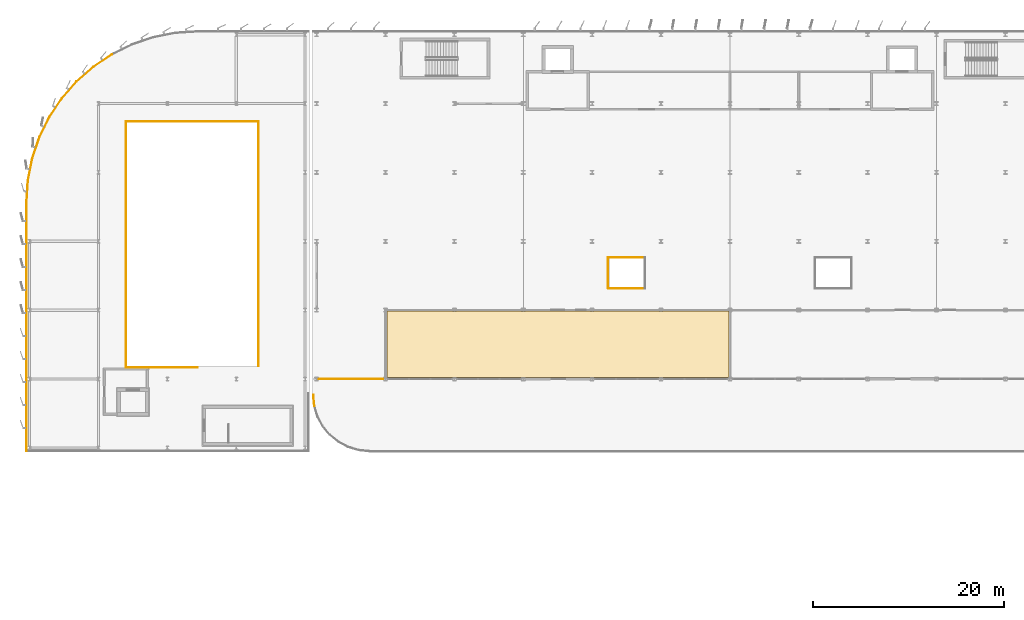
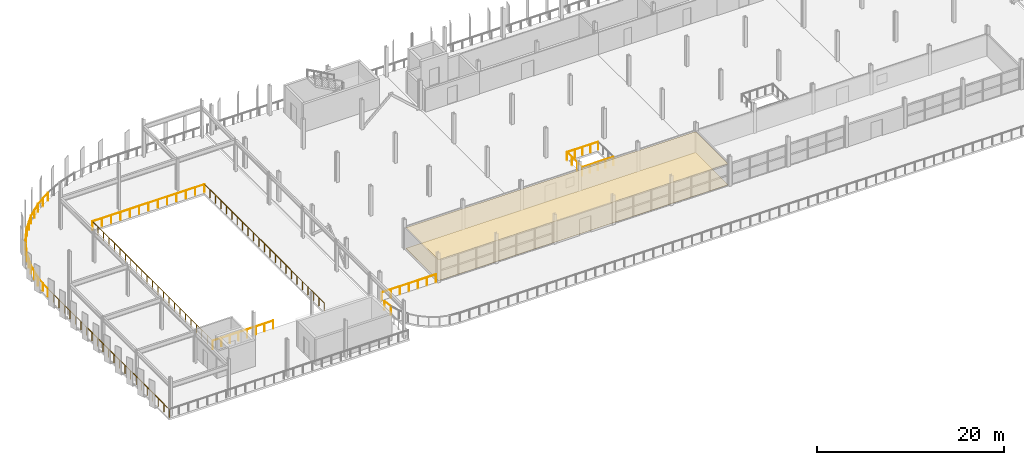
# One storey, part 36 of 40: 18 railings, 2 coverings.
"""IFC4 building model written with IfcOpenShell, lengths in metres."""

import ifcopenshell
import ifcopenshell.guid

model = None  # the IFC model being written
_history = None  # IfcOwnerHistory: only IFC2X3 demands one
_inside = {}  # id of a spatial element -> (the spatial element, [elements in it])
_under = {}  # id of a project, library or spatial element -> (it, [spatial elements below it])
_declared = {}  # id of a project -> (the project, [libraries it declares])
_typed = {}  # id of a type object -> (the type object, [elements of that type])
_made_of = {}  # id of a material, layer set ... -> (it, [elements and type objects made of it])


def new_model(schema):
    """Start an empty IFC model of exactly this schema.

    Asked for "IFC4X3", IfcOpenShell would pick the latest addendum, in which some entities
    have other attributes; the version numbers below select the first issue.
    IFC2X3 requires an IfcOwnerHistory on every rooted entity: one is made here for all.
    """
    global model, _history
    if schema == "IFC4X3":
        model = ifcopenshell.file(schema_version=(4, 3, 0, 0))
    else:
        model = ifcopenshell.file(schema=schema)
    _inside.clear()
    _under.clear()
    _declared.clear()
    _typed.clear()
    _made_of.clear()
    _history = None
    if model.schema == "IFC2X3":
        org = make("IfcOrganization", Name="unknown")
        user = make(
            "IfcPersonAndOrganization",
            ThePerson=make("IfcPerson", FamilyName="unknown"),
            TheOrganization=org,
        )
        app = make(
            "IfcApplication",
            ApplicationDeveloper=org,
            Version="unknown",
            ApplicationFullName="unknown",
            ApplicationIdentifier="unknown",
        )
        _history = make(
            "IfcOwnerHistory",
            OwningUser=user,
            OwningApplication=app,
            ChangeAction="ADDED",
            CreationDate=0,
        )
    return model


def make(cls, **values):
    """One entity of the class cls with the attributes given. An attribute that is None is left unset."""
    return model.create_entity(
        cls, **{name: value for name, value in values.items() if value is not None}
    )


def rooted(cls, **values):
    """An entity with a GlobalId (a new one), such as an element, a storey or a relation."""
    return make(cls, GlobalId=ifcopenshell.guid.new(), OwnerHistory=_history, **values)


def si_unit(unit_type, name, prefix=None):
    """IfcSIUnit, for example si_unit("LENGTHUNIT", "METRE", prefix="MILLI")."""
    return make("IfcSIUnit", UnitType=unit_type, Prefix=prefix, Name=name)


def assignment(units):
    """IfcUnitAssignment: the units of a project."""
    return None if units is None else make("IfcUnitAssignment", Units=units)


def point(xyz):
    """IfcCartesianPoint."""
    return None if xyz is None else make("IfcCartesianPoint", Coordinates=xyz)


def direction(xyz):
    """IfcDirection."""
    return None if xyz is None else make("IfcDirection", DirectionRatios=xyz)


def frame(location, z_axis=None, x_axis=None):
    """IfcAxis2Placement3D, a coordinate frame: its origin and axes. An axis left out is left unset."""
    return make(
        "IfcAxis2Placement3D",
        Location=point(location),
        Axis=direction(z_axis),
        RefDirection=direction(x_axis),
    )


def frame_2d(location, x_axis=None):
    """IfcAxis2Placement2D, a coordinate frame in the plane: its origin and x axis."""
    return make(
        "IfcAxis2Placement2D", Location=point(location), RefDirection=direction(x_axis)
    )


def origin():
    """The frame at (0, 0, 0) with its axes left unset."""
    return frame((0.0, 0.0, 0.0))


def origin_2d():
    """The frame at (0, 0) in the plane with its x axis left unset."""
    return frame_2d((0.0, 0.0))


def place(relative_to, where):
    """IfcLocalPlacement: puts the frame where relative to a parent placement (None: the world)."""
    return make(
        "IfcLocalPlacement", PlacementRelTo=relative_to, RelativePlacement=where
    )


def context(
    kind, dimensions, precision=None, world=None, true_north=None, identifier=None
):
    """IfcGeometricRepresentationContext, for example the 3D "Model" context."""
    return make(
        "IfcGeometricRepresentationContext",
        ContextIdentifier=identifier,
        ContextType=kind,
        CoordinateSpaceDimension=dimensions,
        Precision=precision,
        WorldCoordinateSystem=world,
        TrueNorth=true_north,
    )


def subcontext(parent, identifier, kind, view, scale=None):
    """IfcGeometricRepresentationSubContext, for example "Body" below "Model"."""
    return make(
        "IfcGeometricRepresentationSubContext",
        ContextIdentifier=identifier,
        ContextType=kind,
        ParentContext=parent,
        TargetScale=scale,
        TargetView=view,
    )


def project(units=None, contexts=None):
    """IfcProject with its units and contexts."""
    return rooted(
        "IfcProject",
        Name="project",
        RepresentationContexts=contexts,
        UnitsInContext=assignment(units),
    )


def spatial(cls, under=None, at=None, **own):
    """A site, building, storey or space (cls), placed at a placement, below another one or the project."""
    s = rooted(cls, ObjectPlacement=at, **own)
    if under is not None:
        _under.setdefault(under.id(), (under, []))[1].append(s)
    return s


def polyline(points):
    """IfcPolyline through the points."""
    return make("IfcPolyline", Points=[point(p) for p in points])


def profile(cls, at=None, kind="AREA", **sizes):
    """A parametric profile (cls). Its sizes go by their IFC names, for example OverallWidth=200.0."""
    return make(cls, ProfileType=kind, Position=at, **sizes)


def circle(**sizes):
    """IfcCircleProfileDef."""
    return profile("IfcCircleProfileDef", **sizes)


def outline(outer, holes=None, kind="AREA"):
    """IfcArbitraryClosedProfileDef: a profile drawn as a closed curve; with holes, ...WithVoids."""
    if holes is None:
        return make("IfcArbitraryClosedProfileDef", ProfileType=kind, OuterCurve=outer)
    return make(
        "IfcArbitraryProfileDefWithVoids",
        ProfileType=kind,
        OuterCurve=outer,
        InnerCurves=holes,
    )


def extrude(swept, where, along, depth):
    """IfcExtrudedAreaSolid: the profile swept, set in the frame where, extruded along a direction by depth."""
    return make(
        "IfcExtrudedAreaSolid",
        SweptArea=swept,
        Position=where,
        ExtrudedDirection=direction(along),
        Depth=depth,
    )


def shape(context_of_items, identifier, shape_type, items):
    """IfcShapeRepresentation: the items that make up one representation, for example the "Body"."""
    return make(
        "IfcShapeRepresentation",
        ContextOfItems=context_of_items,
        RepresentationIdentifier=identifier,
        RepresentationType=shape_type,
        Items=items,
    )


def material(Name=None, Category=None):
    """IfcMaterial."""
    return make("IfcMaterial", Name=Name, Category=Category)


def layer(
    of_material, thickness, ventilated=None, Name=None, Category=None, Priority=None
):
    """IfcMaterialLayer: one layer of a wall or slab, of a material (None: an air gap)."""
    return make(
        "IfcMaterialLayer",
        Material=of_material,
        LayerThickness=thickness,
        IsVentilated=ventilated,
        Name=Name,
        Category=Category,
        Priority=Priority,
    )


def layer_set(layers, Name=None):
    """IfcMaterialLayerSet."""
    return make("IfcMaterialLayerSet", MaterialLayers=layers, LayerSetName=Name)


def made_of(thing, what):
    """Note that an element or type object is made of a material, layer set ...; save() writes the relation."""
    if what is not None:
        _made_of.setdefault(what.id(), (what, []))[1].append(thing)
    return thing


def type_object(cls, material=None, **own):
    """A type object (cls), such as IfcWallType, which elements share."""
    return made_of(rooted(cls, **own), material)


def element(
    cls,
    number,
    at=None,
    inside=None,
    cuts=None,
    type_object=None,
    material=None,
    context=None,
    identifier="Body",
    shape_type=None,
    held_by="IfcProductDefinitionShape",
    body=None,
    shapes=None,
    **own,
):
    """One element of the class cls, such as IfcWall. Its Tag is "e" and its number.

    at: its placement. inside: the storey or other place that contains it. cuts: it is an
    opening in that element (IfcRelVoidsElement). A single representation is given by context,
    identifier, shape_type and body (its items); several are given by shapes. held_by: the class
    of the entity that holds the representations. save() writes the other relations.
    """
    e = rooted(cls, Tag="e%d" % number, ObjectPlacement=at, **own)
    if body is not None:
        shapes = [shape(context, identifier, shape_type, body)]
    if shapes is not None:
        e.Representation = make(held_by, Representations=shapes)
    if inside is not None:
        _inside.setdefault(inside.id(), (inside, []))[1].append(e)
    if cuts is not None:
        rooted(
            "IfcRelVoidsElement", RelatingBuildingElement=cuts, RelatedOpeningElement=e
        )
    if type_object is not None:
        _typed.setdefault(type_object.id(), (type_object, []))[1].append(e)
    return made_of(e, material)


def aggregate(whole, parts):
    """IfcRelAggregates: a whole, such as a stair, and the parts it consists of."""
    return rooted("IfcRelAggregates", RelatingObject=whole, RelatedObjects=parts)


def save(model, path):
    """Write the relations noted so far, then the file.

    IfcRelAggregates (storeys below a building ...), IfcRelContainedInSpatialStructure (elements
    in a storey), IfcRelDefinesByType, IfcRelAssociatesMaterial and IfcRelDeclares: one each for
    every whole, place, type object, material and project.
    """
    for whole, parts in _under.values():
        aggregate(whole, parts)
    for where, things in _inside.values():
        rooted(
            "IfcRelContainedInSpatialStructure",
            RelatedElements=things,
            RelatingStructure=where,
        )
    for kind, things in _typed.values():
        rooted("IfcRelDefinesByType", RelatedObjects=things, RelatingType=kind)
    for what, things in _made_of.values():
        rooted("IfcRelAssociatesMaterial", RelatedObjects=things, RelatingMaterial=what)
    for by, libraries in _declared.values():
        rooted("IfcRelDeclares", RelatingContext=by, RelatedDefinitions=libraries)
    model.write(path)


model = new_model("IFC4")

# Units and contexts
model_context = context("Model", 3, precision=1e-05, world=origin(), true_north=direction((0.0, 1.0)))
body_context = subcontext(model_context, "Body", "Model", "MODEL_VIEW")
ifc_project = project(units=[si_unit("LENGTHUNIT", "METRE"), si_unit("AREAUNIT", "SQUARE_METRE"), si_unit("VOLUMEUNIT", "CUBIC_METRE"), si_unit("PLANEANGLEUNIT", "RADIAN"), si_unit("MASSUNIT", "GRAM", prefix="KILO")], contexts=[model_context])

# Site, building, storey
site_placement = place(None, origin())
site = spatial("IfcSite", under=ifc_project, at=site_placement, CompositionType="ELEMENT")
building_placement = place(site_placement, origin())
building = spatial("IfcBuilding", under=site, at=building_placement, Name="Vaelcorin Mobility Hub", CompositionType="ELEMENT")
storey_placement = place(building_placement, frame((0.0, 0.0, 17.10009765625)))
storey = spatial("IfcBuildingStorey", under=building, at=storey_placement, Name="L04", CompositionType="ELEMENT", Elevation=17.10009765625)

# Coverings
ifc_material_1 = material(Name="Perforated acoustic mineral-fibre ceiling tile")
ifc_layer_1 = layer(ifc_material_1, 0.02001953125)
ifc_layer_set_1 = layer_set([ifc_layer_1], Name="Perforated acoustic mineral-fibre ceiling tile")
covering_type_1 = type_object("IfcCoveringType", Name="COV-CEIL-1", PredefinedType="CEILING", material=ifc_layer_set_1)
covering_1_placement = place(storey_placement, frame((0.0, 0.0, 2.712890625)))
element("IfcCovering", 1, at=covering_1_placement, inside=storey, type_object=covering_type_1, Name="Veranda Mobility Lounge Acoustic Ceiling", PredefinedType="CEILING", context=body_context, shape_type="SweptSolid", body=[
    extrude(outline(polyline([(43.39990234375, 84.139892578125), (43.39404296875, 84.139892578125), (43.387939453125, 84.14111328125), (43.383056640625, 84.14306640625), (43.376953125, 84.14501953125), (43.3720703125, 84.14697265625), (43.366943359375, 84.14990234375), (43.362060546875, 84.154052734375), (43.35791015625, 84.157958984375), (43.35400390625, 84.162109375), (43.35009765625, 84.1669921875), (43.346923828125, 84.172119140625), (43.344970703125, 84.177001953125), (43.343017578125, 84.18310546875), (43.341064453125, 84.18798828125), (43.340087890625, 84.194091796875), (43.340087890625, 84.199951171875), (43.340087890625, 91.06005859375), (43.340087890625, 91.06591796875), (43.341064453125, 91.072021484375), (43.343017578125, 91.076904296875), (43.344970703125, 91.0830078125), (43.346923828125, 91.087890625), (43.35009765625, 91.093017578125), (43.35400390625, 91.097900390625), (43.35791015625, 91.10205078125), (43.362060546875, 91.10595703125), (43.366943359375, 91.110107421875), (43.3720703125, 91.113037109375), (43.376953125, 91.114990234375), (43.383056640625, 91.116943359375), (43.387939453125, 91.118896484375), (43.39404296875, 91.1201171875), (43.39990234375, 91.1201171875), (79.06005859375, 91.1201171875), (79.06591796875, 91.1201171875), (79.072021484375, 91.118896484375), (79.076904296875, 91.116943359375), (79.0830078125, 91.114990234375), (79.087890625, 91.113037109375), (79.093017578125, 91.110107421875), (79.097900390625, 91.10595703125), (79.10205078125, 91.10205078125), (79.10595703125, 91.097900390625), (79.110107421875, 91.093017578125), (79.113037109375, 91.087890625), (79.114990234375, 91.0830078125), (79.116943359375, 91.076904296875), (79.118896484375, 91.072021484375), (79.1201171875, 91.06591796875), (79.1201171875, 91.06005859375), (79.1201171875, 84.199951171875), (79.1201171875, 84.194091796875), (79.118896484375, 84.18798828125), (79.116943359375, 84.18310546875), (79.114990234375, 84.177001953125), (79.113037109375, 84.172119140625), (79.110107421875, 84.1669921875), (79.10595703125, 84.162109375), (79.10205078125, 84.157958984375), (79.097900390625, 84.154052734375), (79.093017578125, 84.14990234375), (79.087890625, 84.14697265625), (79.0830078125, 84.14501953125), (79.076904296875, 84.14306640625), (79.072021484375, 84.14111328125), (79.06591796875, 84.139892578125), (79.06005859375, 84.139892578125), (43.39990234375, 84.139892578125)])), origin(), (0.0, 0.0, 1.0), 0.02001953125),
])
ifc_material_2 = material(Name="Polished epoxy-terrazzo concourse flooring")
ifc_layer_2 = layer(ifc_material_2, 0.01806640625)
ifc_layer_set_2 = layer_set([ifc_layer_2], Name="Polished epoxy-terrazzo concourse flooring")
covering_type_2 = type_object("IfcCoveringType", Name="COV-FLR-1", PredefinedType="FLOORING", material=ifc_layer_set_2)
covering_2_placement = place(storey_placement, origin())
element("IfcCovering", 2, at=covering_2_placement, inside=storey, type_object=covering_type_2, Name="Veranda Mobility Lounge Finish Flooring", PredefinedType="FLOORING", context=body_context, shape_type="SweptSolid", body=[
    extrude(outline(polyline([(43.39990234375, 84.139892578125), (43.39404296875, 84.139892578125), (43.387939453125, 84.14111328125), (43.383056640625, 84.14306640625), (43.376953125, 84.14501953125), (43.3720703125, 84.14697265625), (43.366943359375, 84.14990234375), (43.362060546875, 84.154052734375), (43.35791015625, 84.157958984375), (43.35400390625, 84.162109375), (43.35009765625, 84.1669921875), (43.346923828125, 84.172119140625), (43.344970703125, 84.177001953125), (43.343017578125, 84.18310546875), (43.341064453125, 84.18798828125), (43.340087890625, 84.194091796875), (43.340087890625, 84.199951171875), (43.340087890625, 91.06005859375), (43.340087890625, 91.06591796875), (43.341064453125, 91.072021484375), (43.343017578125, 91.076904296875), (43.344970703125, 91.0830078125), (43.346923828125, 91.087890625), (43.35009765625, 91.093017578125), (43.35400390625, 91.097900390625), (43.35791015625, 91.10205078125), (43.362060546875, 91.10595703125), (43.366943359375, 91.110107421875), (43.3720703125, 91.113037109375), (43.376953125, 91.114990234375), (43.383056640625, 91.116943359375), (43.387939453125, 91.118896484375), (43.39404296875, 91.1201171875), (43.39990234375, 91.1201171875), (79.06005859375, 91.1201171875), (79.06591796875, 91.1201171875), (79.072021484375, 91.118896484375), (79.076904296875, 91.116943359375), (79.0830078125, 91.114990234375), (79.087890625, 91.113037109375), (79.093017578125, 91.110107421875), (79.097900390625, 91.10595703125), (79.10205078125, 91.10205078125), (79.10595703125, 91.097900390625), (79.110107421875, 91.093017578125), (79.113037109375, 91.087890625), (79.114990234375, 91.0830078125), (79.116943359375, 91.076904296875), (79.118896484375, 91.072021484375), (79.1201171875, 91.06591796875), (79.1201171875, 91.06005859375), (79.1201171875, 84.199951171875), (79.1201171875, 84.194091796875), (79.118896484375, 84.18798828125), (79.116943359375, 84.18310546875), (79.114990234375, 84.177001953125), (79.113037109375, 84.172119140625), (79.110107421875, 84.1669921875), (79.10595703125, 84.162109375), (79.10205078125, 84.157958984375), (79.097900390625, 84.154052734375), (79.093017578125, 84.14990234375), (79.087890625, 84.14697265625), (79.0830078125, 84.14501953125), (79.076904296875, 84.14306640625), (79.072021484375, 84.14111328125), (79.06591796875, 84.139892578125), (79.06005859375, 84.139892578125), (43.39990234375, 84.139892578125)])), origin(), (0.0, 0.0, 1.0), 0.017822265625),
])

# Railings
ifc_material_3 = material(Name="Galvanised structural steel ASTM A36", Category="steel")
ifc_layer_3 = layer(ifc_material_3, 0.070068359375)
ifc_layer_set_3 = layer_set([ifc_layer_3], Name="Galvanised structural steel ASTM A36")
railing_type_1 = type_object("IfcRailingType", Name="RL-GUARD-1100", PredefinedType="BALUSTRADE", material=ifc_layer_set_3)
railing_1_placement = place(storey_placement, frame((36.25, 84.0, 0.0)))
element("IfcRailing", 3, at=railing_1_placement, inside=storey, type_object=railing_type_1, Name="L04 Perimeter Guard GR-V4-L04-S-01-01", PredefinedType="BALUSTRADE", context=body_context, shape_type="SweptSolid", body=[
    extrude(circle(Radius=0.02392578125, at=origin_2d()), frame((0.0, 0.0, 1.076171875), z_axis=(1.0, 0.0, 0.0), x_axis=(0.0, 1.0, 0.0)), (0.0, 0.0, 1.0), 6.699951171875),
    extrude(circle(Radius=0.02099609375, at=origin_2d()), origin(), (0.0, 0.0, 1.0), 1.052001953125),
    extrude(circle(Radius=0.02099609375, at=origin_2d()), frame((1.11669921875, 0.0, 0.0)), (0.0, 0.0, 1.0), 1.052001953125),
    extrude(circle(Radius=0.02099609375, at=origin_2d()), frame((2.2333984375, 0.0, 0.0)), (0.0, 0.0, 1.0), 1.052001953125),
    extrude(circle(Radius=0.02099609375, at=origin_2d()), frame((3.35009765625, 0.0, 0.0)), (0.0, 0.0, 1.0), 1.052001953125),
    extrude(circle(Radius=0.02099609375, at=origin_2d()), frame((4.466552734375, 0.0, 0.0)), (0.0, 0.0, 1.0), 1.052001953125),
    extrude(circle(Radius=0.02099609375, at=origin_2d()), frame((5.583251953125, 0.0, 0.0)), (0.0, 0.0, 1.0), 1.052001953125),
    extrude(circle(Radius=0.02099609375, at=origin_2d()), frame((6.699951171875, 0.0, 0.0)), (0.0, 0.0, 1.0), 1.052001953125),
])
railing_2_placement = place(storey_placement, frame((66.47998046875, 93.47998046875, 0.0)))
element("IfcRailing", 4, at=railing_2_placement, inside=storey, type_object=railing_type_1, Name="L04 Perimeter Guard GR-V4-L04-LW1-01", PredefinedType="BALUSTRADE", context=body_context, shape_type="SweptSolid", body=[
    extrude(circle(Radius=0.02392578125, at=origin_2d()), frame((0.0, 0.0, 1.076171875), z_axis=(1.0, 0.0, 0.0), x_axis=(0.0, 1.0, 0.0)), (0.0, 0.0, 1.0), 3.840087890625),
    extrude(circle(Radius=0.02099609375, at=origin_2d()), origin(), (0.0, 0.0, 1.0), 1.052001953125),
    extrude(circle(Radius=0.02099609375, at=origin_2d()), frame((0.9599609375, 0.0, 0.0)), (0.0, 0.0, 1.0), 1.052001953125),
    extrude(circle(Radius=0.02099609375, at=origin_2d()), frame((1.919921875, 0.0, 0.0)), (0.0, 0.0, 1.0), 1.052001953125),
    extrude(circle(Radius=0.02099609375, at=origin_2d()), frame((2.880126953125, 0.0, 0.0)), (0.0, 0.0, 1.0), 1.052001953125),
    extrude(circle(Radius=0.02099609375, at=origin_2d()), frame((3.840087890625, 0.0, 0.0)), (0.0, 0.0, 1.0), 1.052001953125),
])
railing_3_placement = place(storey_placement, frame((70.320068359375, 96.719970703125, 0.0)))
element("IfcRailing", 5, at=railing_3_placement, inside=storey, type_object=railing_type_1, Name="L04 Perimeter Guard GR-V4-L04-LW1-03", PredefinedType="BALUSTRADE", context=body_context, shape_type="SweptSolid", body=[
    extrude(circle(Radius=0.02392578125, at=origin_2d()), frame((0.0, 0.0, 1.076171875), z_axis=(-1.0, 0.0, 0.0), x_axis=(0.0, -1.0, 0.0)), (0.0, 0.0, 1.0), 3.840087890625),
    extrude(circle(Radius=0.02099609375, at=origin_2d()), origin(), (0.0, 0.0, 1.0), 1.052001953125),
    extrude(circle(Radius=0.02099609375, at=origin_2d()), frame((-0.9599609375, 0.0, 0.0)), (0.0, 0.0, 1.0), 1.052001953125),
    extrude(circle(Radius=0.02099609375, at=origin_2d()), frame((-1.919921875, 0.0, 0.0)), (0.0, 0.0, 1.0), 1.052001953125),
    extrude(circle(Radius=0.02099609375, at=origin_2d()), frame((-2.880126953125, 0.0, 0.0)), (0.0, 0.0, 1.0), 1.052001953125),
    extrude(circle(Radius=0.02099609375, at=origin_2d()), frame((-3.840087890625, 0.0, 0.0)), (0.0, 0.0, 1.0), 1.052001953125),
])
railing_4_placement = place(storey_placement, frame((66.47998046875, 96.719970703125, 0.0)))
element("IfcRailing", 6, at=railing_4_placement, inside=storey, type_object=railing_type_1, Name="L04 Perimeter Guard GR-V4-L04-LW1-04", PredefinedType="BALUSTRADE", context=body_context, shape_type="SweptSolid", body=[
    extrude(circle(Radius=0.02392578125, at=origin_2d()), frame((0.0, 0.0, 1.076171875), z_axis=(0.0, -1.0, 0.0), x_axis=(1.0, 0.0, 0.0)), (0.0, 0.0, 1.0), 3.239990234375),
    extrude(circle(Radius=0.02099609375, at=origin_2d()), origin(), (0.0, 0.0, 1.0), 1.052001953125),
    extrude(circle(Radius=0.02099609375, at=origin_2d()), frame((0.0, -1.080078125, 0.0)), (0.0, 0.0, 1.0), 1.052001953125),
    extrude(circle(Radius=0.02099609375, at=origin_2d()), frame((0.0, -2.159912109375, 0.0)), (0.0, 0.0, 1.0), 1.052001953125),
    extrude(circle(Radius=0.02099609375, at=origin_2d()), frame((0.0, -3.239990234375, 0.0)), (0.0, 0.0, 1.0), 1.052001953125),
])
railing_5_placement = place(storey_placement, frame((23.550048828125, 85.219970703125, 0.0)))
element("IfcRailing", 7, at=railing_5_placement, inside=storey, type_object=railing_type_1, Name="L04 Perimeter Guard GR-V2W-L04-WELL-01", PredefinedType="BALUSTRADE", context=body_context, shape_type="SweptSolid", body=[
    extrude(circle(Radius=0.02392578125, at=origin_2d()), frame((0.0, 0.0, 1.076171875), z_axis=(-1.0, 0.0, 0.0), x_axis=(0.0, -1.0, 0.0)), (0.0, 0.0, 1.0), 7.469970703125),
    extrude(circle(Radius=0.02099609375, at=origin_2d()), origin(), (0.0, 0.0, 1.0), 1.052001953125),
    extrude(circle(Radius=0.02099609375, at=origin_2d()), frame((-1.067138671875, 0.0, 0.0)), (0.0, 0.0, 1.0), 1.052001953125),
    extrude(circle(Radius=0.02099609375, at=origin_2d()), frame((-2.13427734375, 0.0, 0.0)), (0.0, 0.0, 1.0), 1.052001953125),
    extrude(circle(Radius=0.02099609375, at=origin_2d()), frame((-3.201416015625, 0.0, 0.0)), (0.0, 0.0, 1.0), 1.052001953125),
    extrude(circle(Radius=0.02099609375, at=origin_2d()), frame((-4.2685546875, 0.0, 0.0)), (0.0, 0.0, 1.0), 1.052001953125),
    extrude(circle(Radius=0.02099609375, at=origin_2d()), frame((-5.335693359375, 0.0, 0.0)), (0.0, 0.0, 1.0), 1.052001953125),
    extrude(circle(Radius=0.02099609375, at=origin_2d()), frame((-6.40283203125, 0.0, 0.0)), (0.0, 0.0, 1.0), 1.052001953125),
    extrude(circle(Radius=0.02099609375, at=origin_2d()), frame((-7.469970703125, 0.0, 0.0)), (0.0, 0.0, 1.0), 1.052001953125),
])
railing_6_placement = place(storey_placement, frame((16.080078125, 85.219970703125, 0.0)))
element("IfcRailing", 8, at=railing_6_placement, inside=storey, type_object=railing_type_1, Name="L04 Perimeter Guard GR-V2W-L04-WELL-02", PredefinedType="BALUSTRADE", context=body_context, shape_type="SweptSolid", body=[
    extrude(circle(Radius=0.02392578125, at=origin_2d()), frame((0.0, 0.0, 1.076171875), z_axis=(0.0, 1.0, 0.0), x_axis=(-1.0, 0.0, 0.0)), (0.0, 0.0, 1.0), 25.699951171875),
    extrude(circle(Radius=0.02099609375, at=origin_2d()), origin(), (0.0, 0.0, 1.0), 1.052001953125),
    extrude(circle(Radius=0.02099609375, at=origin_2d()), frame((0.0, 1.168212890625, 0.0)), (0.0, 0.0, 1.0), 1.052001953125),
    extrude(circle(Radius=0.02099609375, at=origin_2d()), frame((0.0, 2.33642578125, 0.0)), (0.0, 0.0, 1.0), 1.052001953125),
    extrude(circle(Radius=0.02099609375, at=origin_2d()), frame((0.0, 3.504638671875, 0.0)), (0.0, 0.0, 1.0), 1.052001953125),
    extrude(circle(Radius=0.02099609375, at=origin_2d()), frame((0.0, 4.672607421875, 0.0)), (0.0, 0.0, 1.0), 1.052001953125),
    extrude(circle(Radius=0.02099609375, at=origin_2d()), frame((0.0, 5.8408203125, 0.0)), (0.0, 0.0, 1.0), 1.052001953125),
    extrude(circle(Radius=0.02099609375, at=origin_2d()), frame((0.0, 7.009033203125, 0.0)), (0.0, 0.0, 1.0), 1.052001953125),
    extrude(circle(Radius=0.02099609375, at=origin_2d()), frame((0.0, 8.17724609375, 0.0)), (0.0, 0.0, 1.0), 1.052001953125),
    extrude(circle(Radius=0.02099609375, at=origin_2d()), frame((0.0, 9.345458984375, 0.0)), (0.0, 0.0, 1.0), 1.052001953125),
    extrude(circle(Radius=0.02099609375, at=origin_2d()), frame((0.0, 10.513671875, 0.0)), (0.0, 0.0, 1.0), 1.052001953125),
    extrude(circle(Radius=0.02099609375, at=origin_2d()), frame((0.0, 11.681884765625, 0.0)), (0.0, 0.0, 1.0), 1.052001953125),
    extrude(circle(Radius=0.02099609375, at=origin_2d()), frame((0.0, 12.85009765625, 0.0)), (0.0, 0.0, 1.0), 1.052001953125),
    extrude(circle(Radius=0.02099609375, at=origin_2d()), frame((0.0, 14.01806640625, 0.0)), (0.0, 0.0, 1.0), 1.052001953125),
    extrude(circle(Radius=0.02099609375, at=origin_2d()), frame((0.0, 15.186279296875, 0.0)), (0.0, 0.0, 1.0), 1.052001953125),
    extrude(circle(Radius=0.02099609375, at=origin_2d()), frame((0.0, 16.3544921875, 0.0)), (0.0, 0.0, 1.0), 1.052001953125),
    extrude(circle(Radius=0.02099609375, at=origin_2d()), frame((0.0, 17.522705078125, 0.0)), (0.0, 0.0, 1.0), 1.052001953125),
    extrude(circle(Radius=0.02099609375, at=origin_2d()), frame((0.0, 18.69091796875, 0.0)), (0.0, 0.0, 1.0), 1.052001953125),
    extrude(circle(Radius=0.02099609375, at=origin_2d()), frame((0.0, 19.859130859375, 0.0)), (0.0, 0.0, 1.0), 1.052001953125),
    extrude(circle(Radius=0.02099609375, at=origin_2d()), frame((0.0, 21.02734375, 0.0)), (0.0, 0.0, 1.0), 1.052001953125),
    extrude(circle(Radius=0.02099609375, at=origin_2d()), frame((0.0, 22.1953125, 0.0)), (0.0, 0.0, 1.0), 1.052001953125),
    extrude(circle(Radius=0.02099609375, at=origin_2d()), frame((0.0, 23.363525390625, 0.0)), (0.0, 0.0, 1.0), 1.052001953125),
    extrude(circle(Radius=0.02099609375, at=origin_2d()), frame((0.0, 24.53173828125, 0.0)), (0.0, 0.0, 1.0), 1.052001953125),
    extrude(circle(Radius=0.02099609375, at=origin_2d()), frame((0.0, 25.699951171875, 0.0)), (0.0, 0.0, 1.0), 1.052001953125),
])
railing_7_placement = place(storey_placement, frame((16.080078125, 110.919921875, 0.0)))
element("IfcRailing", 9, at=railing_7_placement, inside=storey, type_object=railing_type_1, Name="L04 Perimeter Guard GR-V2W-L04-WELL-03", PredefinedType="BALUSTRADE", context=body_context, shape_type="SweptSolid", body=[
    extrude(circle(Radius=0.02392578125, at=origin_2d()), frame((0.0, 0.0, 1.076171875), z_axis=(1.0, 0.0, 0.0), x_axis=(0.0, 1.0, 0.0)), (0.0, 0.0, 1.0), 13.83984375),
    extrude(circle(Radius=0.02099609375, at=origin_2d()), origin(), (0.0, 0.0, 1.0), 1.052001953125),
    extrude(circle(Radius=0.02099609375, at=origin_2d()), frame((1.1533203125, 0.0, 0.0)), (0.0, 0.0, 1.0), 1.052001953125),
    extrude(circle(Radius=0.02099609375, at=origin_2d()), frame((2.306640625, 0.0, 0.0)), (0.0, 0.0, 1.0), 1.052001953125),
    extrude(circle(Radius=0.02099609375, at=origin_2d()), frame((3.4599609375, 0.0, 0.0)), (0.0, 0.0, 1.0), 1.052001953125),
    extrude(circle(Radius=0.02099609375, at=origin_2d()), frame((4.61328125, 0.0, 0.0)), (0.0, 0.0, 1.0), 1.052001953125),
    extrude(circle(Radius=0.02099609375, at=origin_2d()), frame((5.7666015625, 0.0, 0.0)), (0.0, 0.0, 1.0), 1.052001953125),
    extrude(circle(Radius=0.02099609375, at=origin_2d()), frame((6.919921875, 0.0, 0.0)), (0.0, 0.0, 1.0), 1.052001953125),
    extrude(circle(Radius=0.02099609375, at=origin_2d()), frame((8.0732421875, 0.0, 0.0)), (0.0, 0.0, 1.0), 1.052001953125),
    extrude(circle(Radius=0.02099609375, at=origin_2d()), frame((9.2265625, 0.0, 0.0)), (0.0, 0.0, 1.0), 1.052001953125),
    extrude(circle(Radius=0.02099609375, at=origin_2d()), frame((10.3798828125, 0.0, 0.0)), (0.0, 0.0, 1.0), 1.052001953125),
    extrude(circle(Radius=0.02099609375, at=origin_2d()), frame((11.533203125, 0.0, 0.0)), (0.0, 0.0, 1.0), 1.052001953125),
    extrude(circle(Radius=0.02099609375, at=origin_2d()), frame((12.6865234375, 0.0, 0.0)), (0.0, 0.0, 1.0), 1.052001953125),
    extrude(circle(Radius=0.02099609375, at=origin_2d()), frame((13.83984375, 0.0, 0.0)), (0.0, 0.0, 1.0), 1.052001953125),
])
railing_8_placement = place(storey_placement, frame((29.919921875, 110.919921875, 0.0)))
element("IfcRailing", 10, at=railing_8_placement, inside=storey, type_object=railing_type_1, Name="L04 Perimeter Guard GR-V2W-L04-WELL-04", PredefinedType="BALUSTRADE", context=body_context, shape_type="SweptSolid", body=[
    extrude(circle(Radius=0.02392578125, at=origin_2d()), frame((0.0, 0.0, 1.076171875), z_axis=(0.0, -1.0, 0.0), x_axis=(1.0, 0.0, 0.0)), (0.0, 0.0, 1.0), 25.579833984375),
    extrude(circle(Radius=0.02099609375, at=origin_2d()), origin(), (0.0, 0.0, 1.0), 1.052001953125),
    extrude(circle(Radius=0.02099609375, at=origin_2d()), frame((0.0, -1.16259765625, 0.0)), (0.0, 0.0, 1.0), 1.052001953125),
    extrude(circle(Radius=0.02099609375, at=origin_2d()), frame((0.0, -2.325439453125, 0.0)), (0.0, 0.0, 1.0), 1.052001953125),
    extrude(circle(Radius=0.02099609375, at=origin_2d()), frame((0.0, -3.488037109375, 0.0)), (0.0, 0.0, 1.0), 1.052001953125),
    extrude(circle(Radius=0.02099609375, at=origin_2d()), frame((0.0, -4.65087890625, 0.0)), (0.0, 0.0, 1.0), 1.052001953125),
    extrude(circle(Radius=0.02099609375, at=origin_2d()), frame((0.0, -5.8134765625, 0.0)), (0.0, 0.0, 1.0), 1.052001953125),
    extrude(circle(Radius=0.02099609375, at=origin_2d()), frame((0.0, -6.976318359375, 0.0)), (0.0, 0.0, 1.0), 1.052001953125),
    extrude(circle(Radius=0.02099609375, at=origin_2d()), frame((0.0, -8.13916015625, 0.0)), (0.0, 0.0, 1.0), 1.052001953125),
    extrude(circle(Radius=0.02099609375, at=origin_2d()), frame((0.0, -9.3017578125, 0.0)), (0.0, 0.0, 1.0), 1.052001953125),
    extrude(circle(Radius=0.02099609375, at=origin_2d()), frame((0.0, -10.46435546875, 0.0)), (0.0, 0.0, 1.0), 1.052001953125),
    extrude(circle(Radius=0.02099609375, at=origin_2d()), frame((0.0, -11.627197265625, 0.0)), (0.0, 0.0, 1.0), 1.052001953125),
    extrude(circle(Radius=0.02099609375, at=origin_2d()), frame((0.0, -12.7900390625, 0.0)), (0.0, 0.0, 1.0), 1.052001953125),
    extrude(circle(Radius=0.02099609375, at=origin_2d()), frame((0.0, -13.95263671875, 0.0)), (0.0, 0.0, 1.0), 1.052001953125),
    extrude(circle(Radius=0.02099609375, at=origin_2d()), frame((0.0, -15.115234375, 0.0)), (0.0, 0.0, 1.0), 1.052001953125),
    extrude(circle(Radius=0.02099609375, at=origin_2d()), frame((0.0, -16.278076171875, 0.0)), (0.0, 0.0, 1.0), 1.052001953125),
    extrude(circle(Radius=0.02099609375, at=origin_2d()), frame((0.0, -17.44091796875, 0.0)), (0.0, 0.0, 1.0), 1.052001953125),
    extrude(circle(Radius=0.02099609375, at=origin_2d()), frame((0.0, -18.603515625, 0.0)), (0.0, 0.0, 1.0), 1.052001953125),
    extrude(circle(Radius=0.02099609375, at=origin_2d()), frame((0.0, -19.76611328125, 0.0)), (0.0, 0.0, 1.0), 1.052001953125),
    extrude(circle(Radius=0.02099609375, at=origin_2d()), frame((0.0, -20.928955078125, 0.0)), (0.0, 0.0, 1.0), 1.052001953125),
    extrude(circle(Radius=0.02099609375, at=origin_2d()), frame((0.0, -22.091796875, 0.0)), (0.0, 0.0, 1.0), 1.052001953125),
    extrude(circle(Radius=0.02099609375, at=origin_2d()), frame((0.0, -23.25439453125, 0.0)), (0.0, 0.0, 1.0), 1.052001953125),
    extrude(circle(Radius=0.02099609375, at=origin_2d()), frame((0.0, -24.4169921875, 0.0)), (0.0, 0.0, 1.0), 1.052001953125),
    extrude(circle(Radius=0.02099609375, at=origin_2d()), frame((0.0, -25.579833984375, 0.0)), (0.0, 0.0, 1.0), 1.052001953125),
])
railing_9_placement = place(storey_placement, frame((5.669921875, 76.469970703125, 0.0)))
element("IfcRailing", 11, at=railing_9_placement, inside=storey, type_object=railing_type_1, Name="L04 Perimeter Guard GR-V2W-L04-03", PredefinedType="BALUSTRADE", context=body_context, shape_type="SweptSolid", body=[
    extrude(circle(Radius=0.02392578125, at=origin_2d()), frame((0.0, 0.0, 1.076171875), z_axis=(0.0, 1.0, 0.0), x_axis=(-1.0, 0.0, 0.0)), (0.0, 0.0, 1.0), 25.97998046875),
    extrude(circle(Radius=0.02099609375, at=origin_2d()), origin(), (0.0, 0.0, 1.0), 1.052001953125),
    extrude(circle(Radius=0.02099609375, at=origin_2d()), frame((0.0, 1.180908203125, 0.0)), (0.0, 0.0, 1.0), 1.052001953125),
    extrude(circle(Radius=0.02099609375, at=origin_2d()), frame((0.0, 2.36181640625, 0.0)), (0.0, 0.0, 1.0), 1.052001953125),
    extrude(circle(Radius=0.02099609375, at=origin_2d()), frame((0.0, 3.542724609375, 0.0)), (0.0, 0.0, 1.0), 1.052001953125),
    extrude(circle(Radius=0.02099609375, at=origin_2d()), frame((0.0, 4.7236328125, 0.0)), (0.0, 0.0, 1.0), 1.052001953125),
    extrude(circle(Radius=0.02099609375, at=origin_2d()), frame((0.0, 5.904541015625, 0.0)), (0.0, 0.0, 1.0), 1.052001953125),
    extrude(circle(Radius=0.02099609375, at=origin_2d()), frame((0.0, 7.08544921875, 0.0)), (0.0, 0.0, 1.0), 1.052001953125),
    extrude(circle(Radius=0.02099609375, at=origin_2d()), frame((0.0, 8.266357421875, 0.0)), (0.0, 0.0, 1.0), 1.052001953125),
    extrude(circle(Radius=0.02099609375, at=origin_2d()), frame((0.0, 9.447265625, 0.0)), (0.0, 0.0, 1.0), 1.052001953125),
    extrude(circle(Radius=0.02099609375, at=origin_2d()), frame((0.0, 10.628173828125, 0.0)), (0.0, 0.0, 1.0), 1.052001953125),
    extrude(circle(Radius=0.02099609375, at=origin_2d()), frame((0.0, 11.80908203125, 0.0)), (0.0, 0.0, 1.0), 1.052001953125),
    extrude(circle(Radius=0.02099609375, at=origin_2d()), frame((0.0, 12.989990234375, 0.0)), (0.0, 0.0, 1.0), 1.052001953125),
    extrude(circle(Radius=0.02099609375, at=origin_2d()), frame((0.0, 14.1708984375, 0.0)), (0.0, 0.0, 1.0), 1.052001953125),
    extrude(circle(Radius=0.02099609375, at=origin_2d()), frame((0.0, 15.351806640625, 0.0)), (0.0, 0.0, 1.0), 1.052001953125),
    extrude(circle(Radius=0.02099609375, at=origin_2d()), frame((0.0, 16.53271484375, 0.0)), (0.0, 0.0, 1.0), 1.052001953125),
    extrude(circle(Radius=0.02099609375, at=origin_2d()), frame((0.0, 17.713623046875, 0.0)), (0.0, 0.0, 1.0), 1.052001953125),
    extrude(circle(Radius=0.02099609375, at=origin_2d()), frame((0.0, 18.89453125, 0.0)), (0.0, 0.0, 1.0), 1.052001953125),
    extrude(circle(Radius=0.02099609375, at=origin_2d()), frame((0.0, 20.075439453125, 0.0)), (0.0, 0.0, 1.0), 1.052001953125),
    extrude(circle(Radius=0.02099609375, at=origin_2d()), frame((0.0, 21.25634765625, 0.0)), (0.0, 0.0, 1.0), 1.052001953125),
    extrude(circle(Radius=0.02099609375, at=origin_2d()), frame((0.0, 22.437255859375, 0.0)), (0.0, 0.0, 1.0), 1.052001953125),
    extrude(circle(Radius=0.02099609375, at=origin_2d()), frame((0.0, 23.6181640625, 0.0)), (0.0, 0.0, 1.0), 1.052001953125),
    extrude(circle(Radius=0.02099609375, at=origin_2d()), frame((0.0, 24.799072265625, 0.0)), (0.0, 0.0, 1.0), 1.052001953125),
    extrude(circle(Radius=0.02099609375, at=origin_2d()), frame((0.0, 25.97998046875, 0.0)), (0.0, 0.0, 1.0), 1.052001953125),
])
railing_10_placement = place(storey_placement, frame((5.669921875, 102.449951171875, 0.0)))
element("IfcRailing", 12, at=railing_10_placement, inside=storey, type_object=railing_type_1, Name="L04 Perimeter Guard GR-V2W-L04-04", PredefinedType="BALUSTRADE", context=body_context, shape_type="SweptSolid", body=[
    extrude(circle(Radius=0.02392578125, at=origin_2d()), frame((0.0, 0.0, 1.076171875), z_axis=(0.065445169106, 0.99785616691, 0.0), x_axis=(-0.99785616691, 0.065445169106, 0.0)), (0.0, 0.0, 1.0), 2.339111328125),
    extrude(circle(Radius=0.02099609375, at=origin_2d()), origin(), (0.0, 0.0, 1.0), 1.052001953125),
    extrude(circle(Radius=0.02099609375, at=origin_2d()), frame((0.07666015625, 1.1669921875, 0.0)), (0.0, 0.0, 1.0), 1.052001953125),
    extrude(circle(Radius=0.02099609375, at=origin_2d()), frame((0.153076171875, 2.333984375, 0.0)), (0.0, 0.0, 1.0), 1.052001953125),
])
railing_11_placement = place(storey_placement, frame((5.822998046875, 104.783935546875, 0.0)))
element("IfcRailing", 13, at=railing_11_placement, inside=storey, type_object=railing_type_1, Name="L04 Perimeter Guard GR-V2W-L04-05", PredefinedType="BALUSTRADE", context=body_context, shape_type="SweptSolid", body=[
    extrude(circle(Radius=0.02392578125, at=origin_2d()), frame((0.0, 0.0, 1.076171875), z_axis=(0.194991856212, 0.980804861331, 0.0), x_axis=(-0.980804861331, 0.194991856212, 0.0)), (0.0, 0.0, 1.0), 2.3388671875),
    extrude(circle(Radius=0.02099609375, at=origin_2d()), origin(), (0.0, 0.0, 1.0), 1.052001953125),
    extrude(circle(Radius=0.02099609375, at=origin_2d()), frame((0.22802734375, 1.14697265625, 0.0)), (0.0, 0.0, 1.0), 1.052001953125),
    extrude(circle(Radius=0.02099609375, at=origin_2d()), frame((0.4560546875, 2.2939453125, 0.0)), (0.0, 0.0, 1.0), 1.052001953125),
])
railing_12_placement = place(storey_placement, frame((6.279052734375, 107.077880859375, 0.0)))
element("IfcRailing", 14, at=railing_12_placement, inside=storey, type_object=railing_type_1, Name="L04 Perimeter Guard GR-V2W-L04-06", PredefinedType="BALUSTRADE", context=body_context, shape_type="SweptSolid", body=[
    extrude(circle(Radius=0.02392578125, at=origin_2d()), frame((0.0, 0.0, 1.076171875), z_axis=(0.321578893855, 0.946882788431, 0.0), x_axis=(-0.946882788431, 0.321578893855, 0.0)), (0.0, 0.0, 1.0), 2.33837890625),
    extrude(circle(Radius=0.02099609375, at=origin_2d()), origin(), (0.0, 0.0, 1.0), 1.052001953125),
    extrude(circle(Radius=0.02099609375, at=origin_2d()), frame((0.3759765625, 1.10693359375, 0.0)), (0.0, 0.0, 1.0), 1.052001953125),
    extrude(circle(Radius=0.02099609375, at=origin_2d()), frame((0.751953125, 2.214111328125, 0.0)), (0.0, 0.0, 1.0), 1.052001953125),
])
railing_13_placement = place(storey_placement, frame((7.031005859375, 109.2919921875, 0.0)))
element("IfcRailing", 15, at=railing_13_placement, inside=storey, type_object=railing_type_1, Name="L04 Perimeter Guard GR-V2W-L04-07", PredefinedType="BALUSTRADE", context=body_context, shape_type="SweptSolid", body=[
    extrude(circle(Radius=0.02392578125, at=origin_2d()), frame((0.0, 0.0, 1.076171875), z_axis=(0.442070481095, 0.896980317367, 0.0), x_axis=(-0.896980317367, 0.442070481095, 0.0)), (0.0, 0.0, 1.0), 2.3388671875),
    extrude(circle(Radius=0.02099609375, at=origin_2d()), origin(), (0.0, 0.0, 1.0), 1.052001953125),
    extrude(circle(Radius=0.02099609375, at=origin_2d()), frame((0.51708984375, 1.048828125, 0.0)), (0.0, 0.0, 1.0), 1.052001953125),
    extrude(circle(Radius=0.02099609375, at=origin_2d()), frame((1.033935546875, 2.097900390625, 0.0)), (0.0, 0.0, 1.0), 1.052001953125),
])
railing_14_placement = place(storey_placement, frame((8.06494140625, 111.389892578125, 0.0)))
element("IfcRailing", 16, at=railing_14_placement, inside=storey, type_object=railing_type_1, Name="L04 Perimeter Guard GR-V2W-L04-08", PredefinedType="BALUSTRADE", context=body_context, shape_type="SweptSolid", body=[
    extrude(circle(Radius=0.02392578125, at=origin_2d()), frame((0.0, 0.0, 1.076171875), z_axis=(0.555687158809, 0.831391473095, 0.0), x_axis=(-0.831391473095, 0.555687158809, 0.0)), (0.0, 0.0, 1.0), 2.339599609375),
    extrude(circle(Radius=0.02099609375, at=origin_2d()), origin(), (0.0, 0.0, 1.0), 1.052001953125),
    extrude(circle(Radius=0.02099609375, at=origin_2d()), frame((0.64990234375, 0.97265625, 0.0)), (0.0, 0.0, 1.0), 1.052001953125),
    extrude(circle(Radius=0.02099609375, at=origin_2d()), frame((1.300048828125, 1.945068359375, 0.0)), (0.0, 0.0, 1.0), 1.052001953125),
])
railing_15_placement = place(storey_placement, frame((9.364990234375, 113.3349609375, 0.0)))
element("IfcRailing", 17, at=railing_15_placement, inside=storey, type_object=railing_type_1, Name="L04 Perimeter Guard GR-V2W-L04-09", PredefinedType="BALUSTRADE", context=body_context, shape_type="SweptSolid", body=[
    extrude(circle(Radius=0.02392578125, at=origin_2d()), frame((0.0, 0.0, 1.076171875), z_axis=(0.659398483057, 0.751793615657, 0.0), x_axis=(-0.751793615657, 0.659398483057, 0.0)), (0.0, 0.0, 1.0), 2.33837890625),
    extrude(circle(Radius=0.02099609375, at=origin_2d()), origin(), (0.0, 0.0, 1.0), 1.052001953125),
    extrude(circle(Radius=0.02099609375, at=origin_2d()), frame((0.77099609375, 0.87890625, 0.0)), (0.0, 0.0, 1.0), 1.052001953125),
    extrude(circle(Radius=0.02099609375, at=origin_2d()), frame((1.5419921875, 1.758056640625, 0.0)), (0.0, 0.0, 1.0), 1.052001953125),
])
railing_16_placement = place(storey_placement, frame((10.906982421875, 115.093017578125, 0.0)))
element("IfcRailing", 18, at=railing_16_placement, inside=storey, type_object=railing_type_1, Name="L04 Perimeter Guard GR-V2W-L04-10", PredefinedType="BALUSTRADE", context=body_context, shape_type="SweptSolid", body=[
    extrude(circle(Radius=0.02392578125, at=origin_2d()), frame((0.0, 0.0, 1.076171875), z_axis=(0.751793615657, 0.659398483057, 0.0), x_axis=(-0.659398483057, 0.751793615657, 0.0)), (0.0, 0.0, 1.0), 2.33837890625),
    extrude(circle(Radius=0.02099609375, at=origin_2d()), origin(), (0.0, 0.0, 1.0), 1.052001953125),
    extrude(circle(Radius=0.02099609375, at=origin_2d()), frame((0.87890625, 0.77099609375, 0.0)), (0.0, 0.0, 1.0), 1.052001953125),
    extrude(circle(Radius=0.02099609375, at=origin_2d()), frame((1.758056640625, 1.5419921875, 0.0)), (0.0, 0.0, 1.0), 1.052001953125),
])
railing_17_placement = place(storey_placement, frame((12.6650390625, 116.635009765625, 0.0)))
element("IfcRailing", 19, at=railing_17_placement, inside=storey, type_object=railing_type_1, Name="L04 Perimeter Guard GR-V2W-L04-11", PredefinedType="BALUSTRADE", context=body_context, shape_type="SweptSolid", body=[
    extrude(circle(Radius=0.02392578125, at=origin_2d()), frame((0.0, 0.0, 1.076171875), z_axis=(0.831391473095, 0.555687158809, 0.0), x_axis=(-0.555687158809, 0.831391473095, 0.0)), (0.0, 0.0, 1.0), 2.339599609375),
    extrude(circle(Radius=0.02099609375, at=origin_2d()), origin(), (0.0, 0.0, 1.0), 1.052001953125),
    extrude(circle(Radius=0.02099609375, at=origin_2d()), frame((0.97265625, 0.64990234375, 0.0)), (0.0, 0.0, 1.0), 1.052001953125),
    extrude(circle(Radius=0.02099609375, at=origin_2d()), frame((1.945068359375, 1.300048828125, 0.0)), (0.0, 0.0, 1.0), 1.052001953125),
])
ifc_material_4 = material(Name="Anodised aluminium 6063-T6", Category="aluminium")
ifc_layer_4 = layer(ifc_material_4, 0.070068359375)
ifc_layer_set_4 = layer_set([ifc_layer_4], Name="Anodised aluminium 6063-T6")
railing_type_2 = type_object("IfcRailingType", Name="RL-GUARD-1150", PredefinedType="BALUSTRADE", material=ifc_layer_set_4)
railing_18_placement = place(storey_placement, frame((35.64990234375, 82.35009765625, 0.0)))
element("IfcRailing", 20, at=railing_18_placement, inside=storey, type_object=railing_type_2, Name="L04 Perimeter Guard GR-L04-VERANDA-01", PredefinedType="BALUSTRADE", context=body_context, shape_type="SweptSolid", body=[
    extrude(circle(Radius=0.02392578125, at=origin_2d()), frame((0.0, 0.0, 1.1259765625), z_axis=(0.097727196308, -0.99521324102, 0.0), x_axis=(0.99521324102, 0.097727196308, 0.0)), (0.0, 0.0, 1.0), 1.15673828125),
    extrude(circle(Radius=0.02099609375, at=origin_2d()), origin(), (0.0, 0.0, 1.0), 1.101806640625),
    extrude(circle(Radius=0.02099609375, at=origin_2d()), frame((0.113037109375, -1.151123046875, 0.0)), (0.0, 0.0, 1.0), 1.101806640625),
])

save(model, "model.ifc")
